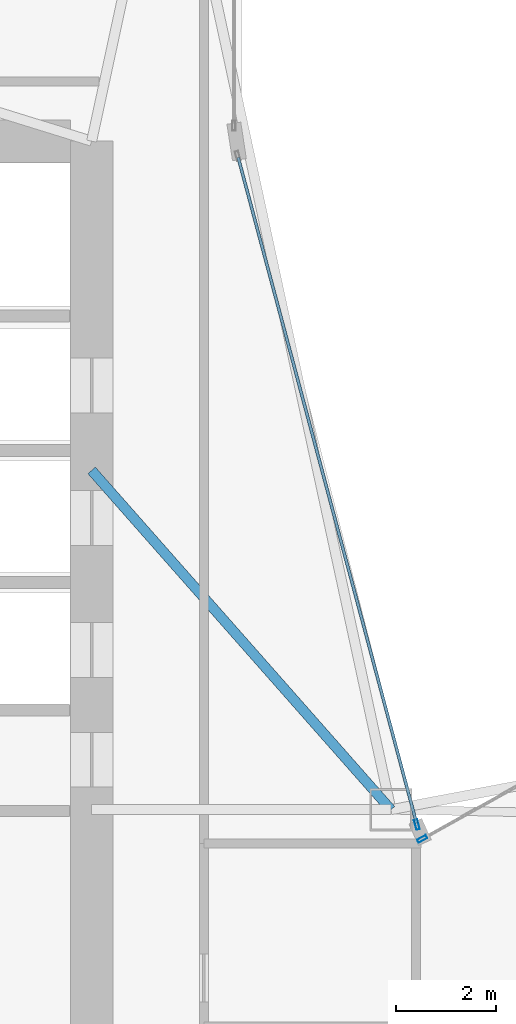
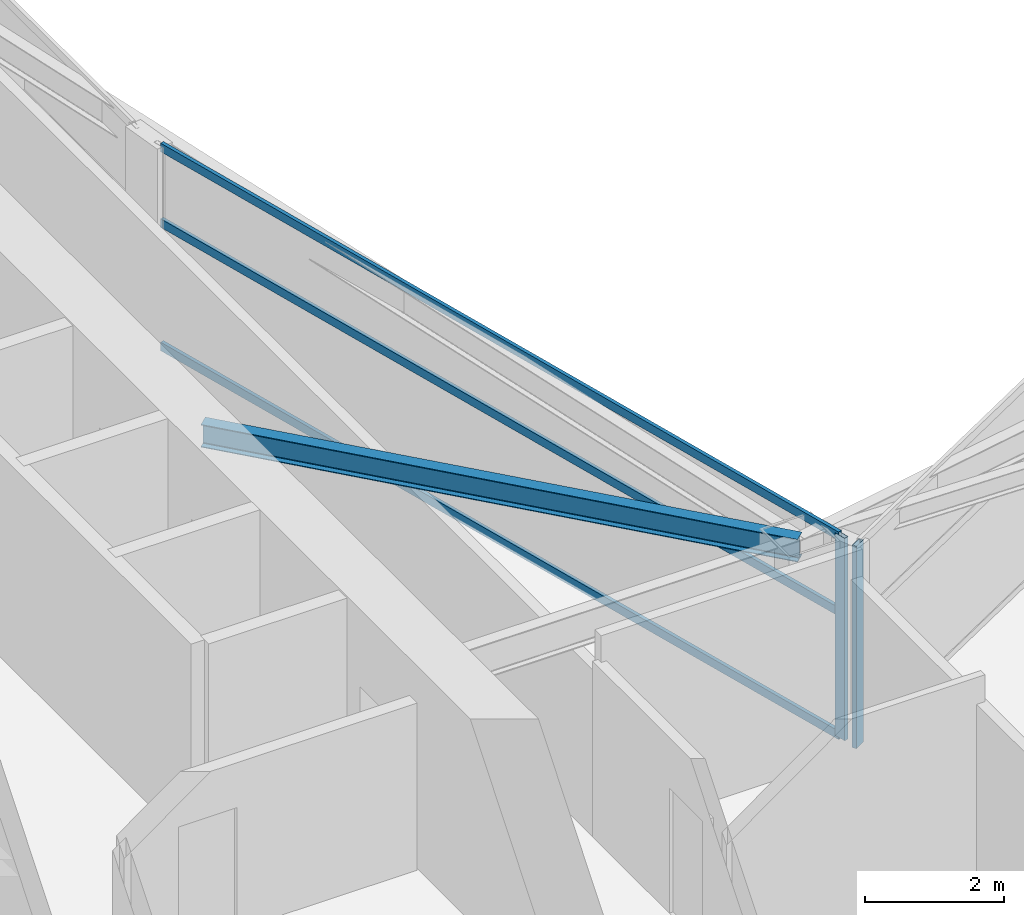
# One storey, part 10 of 28: 5 members, 1 beam, 2 elements without a shape of their own.
"""IFC4 building model written with IfcOpenShell, lengths in metres."""

from ifc_helpers import new_model, si_unit, direction, frame, origin, origin_2d, place, context, subcontext, project, spatial, hollow_rectangle, i_section, extrude, material, layer, layer_set, material_profile, profile_set, type_object, element, aggregate, save


model = new_model("IFC4")

# Units and contexts
model_context = context("Model", 3, precision=1e-05, world=origin(), true_north=direction((0.0, 1.0)))
body_context = subcontext(model_context, "Body", "Model", "MODEL_VIEW")
ifc_project = project(units=[si_unit("LENGTHUNIT", "METRE"), si_unit("AREAUNIT", "SQUARE_METRE"), si_unit("VOLUMEUNIT", "CUBIC_METRE"), si_unit("PLANEANGLEUNIT", "RADIAN"), si_unit("MASSUNIT", "GRAM", prefix="KILO")], contexts=[model_context])

# Site, building, storey
site_placement = place(None, origin())
site = spatial("IfcSite", under=ifc_project, at=site_placement, CompositionType="ELEMENT")
building_placement = place(site_placement, origin())
building = spatial("IfcBuilding", under=site, at=building_placement, Name="Calvorn Quay Hotel", CompositionType="ELEMENT")
storey_placement = place(building_placement, frame((0.0, 0.0, 152.300048828125)))
storey = spatial("IfcBuildingStorey", under=building, at=storey_placement, Name="L37", CompositionType="ELEMENT", Elevation=152.300048828125)

# Beam
ifc_material_1 = material(Name="Steel Q355B", Category="steel")
ifc_material_profile_1 = material_profile(ifc_material_1, i_section(OverallWidth=0.199951171875, OverallDepth=0.39990234375, WebThickness=0.008056640625, FlangeThickness=0.012939453125, FilletRadius=0.01611328125, at=origin_2d()), Name="HN400x200x8x13")
ifc_profile_set_1 = profile_set([ifc_material_profile_1], Name="Steel Q355B")
beam_type = type_object("IfcBeamType", Name="BM-JOIST-TYP", PredefinedType="JOIST", material=ifc_profile_set_1)
beam_placement = place(storey_placement, frame((15.0, 31.800048828125, 3.33984375), z_axis=(0.661618965899, -0.749840212287, 0.0), x_axis=(0.749840212287, 0.661618965899, 0.0)))
element("IfcBeam", 1, at=beam_placement, inside=storey, type_object=beam_type, Name="Beam BJ-L37-C1", PredefinedType="JOIST", context=body_context, shape_type="SweptSolid", body=[
    extrude(i_section(OverallWidth=0.199951171875, OverallDepth=0.39990234375, WebThickness=0.008056640625, FlangeThickness=0.012939453125, FilletRadius=0.01611328125, at=origin_2d()), origin(), (0.0, 0.0, 1.0), 9.068603515625),
])

# Curtain wall, member
ifc_material_2 = material(Name="Pale Anodised Aluminium and Low-E Glass", Category="aluminium")
ifc_layer = layer(ifc_material_2, 0.219970703125)
ifc_layer_set = layer_set([ifc_layer], Name="CW-SYS-Z2")
curtain_wall_type = type_object("IfcCurtainWallType", Name="CW-SYS-Z2", PredefinedType="NOTDEFINED", material=ifc_layer_set)
curtain_wall_1_placement = place(storey_placement, origin())
curtain_wall_1 = element("IfcCurtainWall", 2, at=curtain_wall_1_placement, inside=storey, type_object=curtain_wall_type, Name="Inner Court Curtain Wall L37-NE1", PredefinedType="NOTDEFINED")
ifc_material_3 = material(Name="Pale Anodised Aluminium 6063-T6", Category="aluminium")
ifc_material_profile_2 = material_profile(ifc_material_3, hollow_rectangle(XDim=0.070068359375, YDim=0.199951171875, WallThickness=0.00390625, at=origin_2d()), Name="ALU-M200x70x4")
ifc_profile_set_2 = profile_set([ifc_material_profile_2], Name="Pale Anodised Aluminium 6063-T6")
member_type_1 = type_object("IfcMemberType", Name="CW-SYS-Z2-MUL", PredefinedType="MULLION", material=ifc_profile_set_2)
member_1_placement = place(storey_placement, frame((21.626220703125, 24.41455078125, 0.0), z_axis=(0.0, 0.0, 1.0), x_axis=(0.486858256224, -0.873480989116, 0.0)))
member_1 = element("IfcMember", 3, at=member_1_placement, type_object=member_type_1, Name="CW-L37-NE1 mullion 4", PredefinedType="MULLION", context=body_context, shape_type="SweptSolid", body=[
    extrude(hollow_rectangle(XDim=0.070068359375, YDim=0.199951171875, WallThickness=0.00390625, at=origin_2d()), origin(), (0.0, 0.0, 1.0), 3.56005859375),
])
aggregate(curtain_wall_1, [member_1])

# Curtain wall, members
curtain_wall_2_placement = place(storey_placement, origin())
curtain_wall_2 = element("IfcCurtainWall", 4, at=curtain_wall_2_placement, inside=storey, type_object=curtain_wall_type, Name="Inner Court Curtain Wall L37-IC1", PredefinedType="NOTDEFINED")
member_2_placement = place(storey_placement, frame((21.520263671875, 24.698974609375, 0.0), z_axis=(0.0, 0.0, 1.0), x_axis=(-0.96593652056, -0.25877913024, 0.0)))
member_2 = element("IfcMember", 5, at=member_2_placement, type_object=member_type_1, Name="CW-L37-IC1 mullion 1", PredefinedType="MULLION", context=body_context, shape_type="SweptSolid", body=[
    extrude(hollow_rectangle(XDim=0.070068359375, YDim=0.199951171875, WallThickness=0.00390625, at=origin_2d()), origin(), (0.0, 0.0, 1.0), 3.56005859375),
])
ifc_material_4 = material(Name="Pale Anodised Aluminium 6063-T6", Category="aluminium")
ifc_material_profile_3 = material_profile(ifc_material_4, hollow_rectangle(XDim=0.06005859375, YDim=0.14990234375, WallThickness=0.00341796875, at=origin_2d()), Name="ALU-T150x60x3.5")
ifc_profile_set_3 = profile_set([ifc_material_profile_3], Name="Pale Anodised Aluminium 6063-T6")
member_type_2 = type_object("IfcMemberType", Name="CW-SYS-Z2-TRN", PredefinedType="USERDEFINED", material=ifc_profile_set_3)
member_3_placement = place(storey_placement, frame((21.512451171875, 24.72802734375, 0.030029296875), z_axis=(-0.258781136883, 0.965935982969, 0.0), x_axis=(-0.965935982969, -0.258781136883, 0.0)))
member_3 = element("IfcMember", 6, at=member_3_placement, type_object=member_type_2, Name="CW-L37-IC1 transom 1.1", ObjectType="TRANSOM", PredefinedType="USERDEFINED", context=body_context, shape_type="SweptSolid", body=[
    extrude(hollow_rectangle(XDim=0.06005859375, YDim=0.14990234375, WallThickness=0.00341796875, at=origin_2d()), origin(), (0.0, 0.0, 1.0), 13.814453125),
])
member_4_placement = place(storey_placement, frame((21.512451171875, 24.72802734375, 2.199951171875), z_axis=(-0.258781136883, 0.965935982969, 0.0), x_axis=(-0.965935982969, -0.258781136883, 0.0)))
member_4 = element("IfcMember", 7, at=member_4_placement, type_object=member_type_2, Name="CW-L37-IC1 transom 1.2", ObjectType="TRANSOM", PredefinedType="USERDEFINED", context=body_context, shape_type="SweptSolid", body=[
    extrude(hollow_rectangle(XDim=0.06005859375, YDim=0.14990234375, WallThickness=0.00341796875, at=origin_2d()), origin(), (0.0, 0.0, 1.0), 13.814453125),
])
member_5_placement = place(storey_placement, frame((21.512451171875, 24.72802734375, 3.530029296875), z_axis=(-0.258781136883, 0.965935982969, 0.0), x_axis=(-0.965935982969, -0.258781136883, 0.0)))
member_5 = element("IfcMember", 8, at=member_5_placement, type_object=member_type_2, Name="CW-L37-IC1 transom 1.3", ObjectType="TRANSOM", PredefinedType="USERDEFINED", context=body_context, shape_type="SweptSolid", body=[
    extrude(hollow_rectangle(XDim=0.06005859375, YDim=0.14990234375, WallThickness=0.00341796875, at=origin_2d()), origin(), (0.0, 0.0, 1.0), 13.814453125),
])
aggregate(curtain_wall_2, [member_2, member_3, member_4, member_5])

save(model, "model.ifc")
